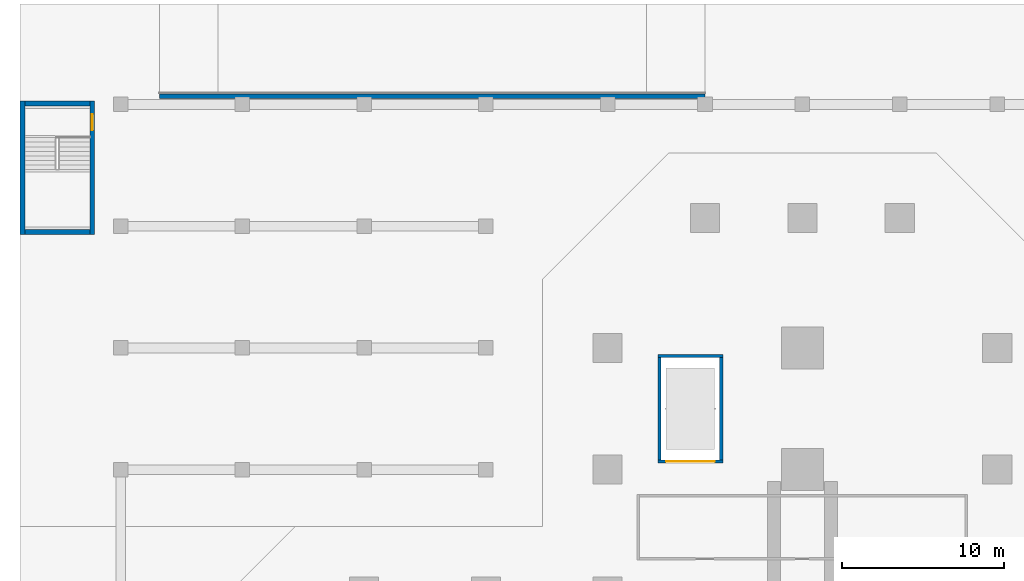
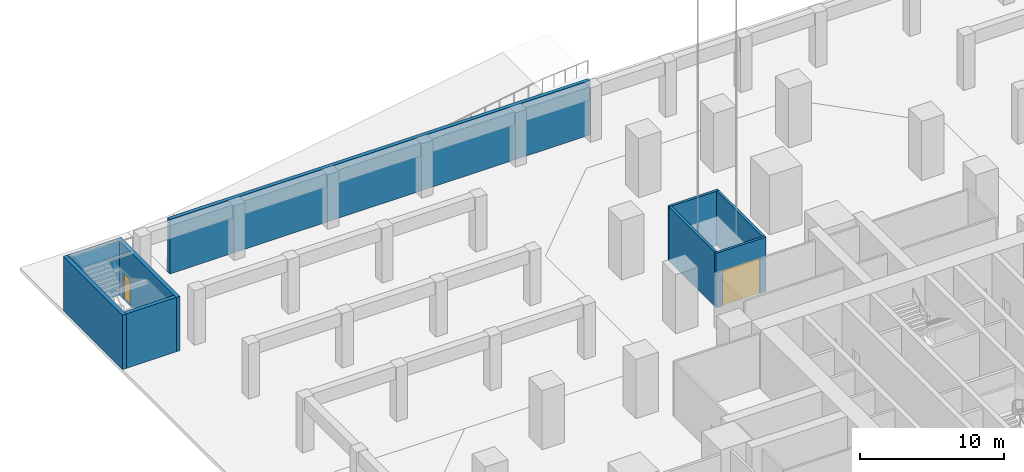
# One storey, part 8 of 20: 9 walls, 2 doors, 2 openings.
"""IFC4 building model written with IfcOpenShell, lengths in metres."""

from ifc_helpers import new_model, si_unit, direction, frame, frame_2d, origin, place, context, subcontext, project, spatial, rectangle, extrude, material, layer, layer_set, type_object, element, fill, save


model = new_model("IFC4")

# Units and contexts
model_context = context("Model", 3, precision=1e-05, world=origin(), true_north=direction((0.0, 1.0)))
body_context = subcontext(model_context, "Body", "Model", "MODEL_VIEW")
ifc_project = project(units=[si_unit("LENGTHUNIT", "METRE"), si_unit("AREAUNIT", "SQUARE_METRE"), si_unit("VOLUMEUNIT", "CUBIC_METRE"), si_unit("PLANEANGLEUNIT", "RADIAN"), si_unit("MASSUNIT", "GRAM", prefix="KILO")], contexts=[model_context])

# Site, building, storey
site_placement = place(None, origin())
site = spatial("IfcSite", under=ifc_project, at=site_placement, CompositionType="ELEMENT")
building_placement = place(site_placement, origin())
building = spatial("IfcBuilding", under=site, at=building_placement, Name="Mizan Broadcast Tower", CompositionType="ELEMENT")
storey_placement = place(building_placement, frame((0.0, 0.0, -5.0)))
storey = spatial("IfcBuildingStorey", under=building, at=storey_placement, Name="B1", CompositionType="ELEMENT", Elevation=-5.0)

# Wall, opening, door
ifc_material_1 = material(Name="Concrete blockwork", Category="masonry")
ifc_layer_1 = layer(ifc_material_1, 0.199951171875)
ifc_layer_set_1 = layer_set([ifc_layer_1], Name="Concrete blockwork")
wall_type_1 = type_object("IfcWallType", Name="LIFT SHAFT WALL 200", PredefinedType="SOLIDWALL", material=ifc_layer_set_1)
wall_1_placement = place(storey_placement, frame((-4.89990234375, 20.0, 0.0), z_axis=(0.0, 0.0, 1.0), x_axis=(-1.0, 0.0, 0.0)))
wall_1 = element("IfcWall", 1, at=wall_1_placement, inside=storey, type_object=wall_type_1, Name="Lift shaft wall GLS/U0", PredefinedType="SOLIDWALL", context=body_context, shape_type="SweptSolid", body=[
    extrude(rectangle(XDim=4.0, YDim=0.199951171875, at=frame_2d((2.0, 0.0))), origin(), (0.0, 0.0, 1.0), 4.60009765625),
])
opening_1_placement = place(wall_1_placement, frame((0.5, 0.0, 0.0)))
opening_1 = element("IfcOpeningElement", 2, at=opening_1_placement, cuts=wall_1, Name="Opening LDG", PredefinedType="OPENING", context=body_context, shape_type="SweptSolid", body=[
    extrude(rectangle(XDim=3.0, YDim=3.0, at=frame_2d((1.5, 1.5))), frame((0.0, 0.10986328125, 0.0), z_axis=(0.0, -1.0, 0.0), x_axis=(1.0, 0.0, 0.0)), (0.0, 0.0, 1.0), 0.219970703125),
])
ifc_material_2 = material(Name="Steel door leaf in steel frame", Category="steel")
door_type_1 = type_object("IfcDoorType", Name="GOODS LIFT LANDING DOOR 3000", OperationType="SLIDING_TO_LEFT", PredefinedType="DOOR", material=ifc_material_2)
door_1_placement = place(opening_1_placement, origin())
door_1 = element("IfcDoor", 3, at=door_1_placement, inside=storey, type_object=door_type_1, Name="Landing door GL1", OperationType="SLIDING_TO_LEFT", OverallHeight=3.0, OverallWidth=3.0, PredefinedType="DOOR", context=body_context, shape_type="SweptSolid", body=[
    extrude(rectangle(XDim=3.0, YDim=3.0, at=frame_2d((1.5, 1.5))), frame((0.0, 0.02490234375, 0.0), z_axis=(0.0, -1.0, 0.0), x_axis=(1.0, 0.0, 0.0)), (0.0, 0.0, 1.0), 0.050048828125),
])
fill(opening_1, door_1)

# Walls
wall_2_placement = place(storey_placement, frame((-8.89990234375, 26.5, 0.0), z_axis=(0.0, 0.0, 1.0), x_axis=(1.0, 0.0, 0.0)))
element("IfcWall", 4, at=wall_2_placement, inside=storey, type_object=wall_type_1, Name="Lift shaft wall GLS/U1", PredefinedType="SOLIDWALL", context=body_context, shape_type="SweptSolid", body=[
    extrude(rectangle(XDim=4.0, YDim=0.199951171875, at=frame_2d((2.0, 0.0))), origin(), (0.0, 0.0, 1.0), 4.60009765625),
])
for number, where, z_axis, x_axis, name in (
    (5, (-5.0, 20.10009765625, 0.0), (0.0, 0.0, 1.0), (0.0, 1.0, 0.0), "Lift shaft wall GLS/V0"),
    (6, (-8.800048828125, 26.39990234375, 0.0), (0.0, 0.0, 1.0), (0.0, -1.0, 0.0), "Lift shaft wall GLS/V1"),
):
    element("IfcWall", number, at=place(storey_placement, frame(where, z_axis=z_axis, x_axis=x_axis)), inside=storey, type_object=wall_type_1, Name=name, PredefinedType="SOLIDWALL", context=body_context, shape_type="SweptSolid", body=[
        extrude(rectangle(XDim=6.2998046875, YDim=0.199951171875, at=frame_2d((3.14990234375, 0.0))), origin(), (0.0, 0.0, 1.0), 4.60009765625),
    ])
ifc_material_3 = material(Name="Concrete C70/85", Category="concrete")
ifc_layer_2 = layer(ifc_material_3, 0.300048828125)
ifc_layer_set_2 = layer_set([ifc_layer_2], Name="Concrete C70/85")
wall_type_2 = type_object("IfcWallType", Name="RAMP WALL 300", PredefinedType="SOLIDWALL", material=ifc_layer_set_2)
wall_3_placement = place(storey_placement, frame((-39.60009765625, 42.5, 0.0), z_axis=(0.0, 0.0, 1.0), x_axis=(1.0, 0.0, 0.0)))
element("IfcWall", 7, at=wall_3_placement, inside=storey, type_object=wall_type_2, Name="Car ramp wall R1", PredefinedType="SOLIDWALL", context=body_context, shape_type="SweptSolid", body=[
    extrude(rectangle(XDim=33.60009765625, YDim=0.300048828125, at=frame_2d((16.800048828125, 0.0))), origin(), (0.0, 0.0, 1.0), 4.60009765625),
])

# Wall, opening, door
ifc_material_4 = material(Name="Concrete C40/50", Category="concrete")
ifc_layer_3 = layer(ifc_material_4, 0.300048828125)
ifc_layer_set_3 = layer_set([ifc_layer_3], Name="Concrete C40/50")
wall_type_3 = type_object("IfcWallType", Name="STAIR SHAFT WALL 300 RC", PredefinedType="SOLIDWALL", material=ifc_layer_set_3)
wall_4_placement = place(storey_placement, frame((-43.75, 42.199951171875, 0.0), z_axis=(0.0, 0.0, 1.0), x_axis=(0.0, -1.0, 0.0)))
wall_4 = element("IfcWall", 8, at=wall_4_placement, inside=storey, type_object=wall_type_3, Name="Stair shaft wall F I", PredefinedType="SOLIDWALL", context=body_context, shape_type="SweptSolid", body=[
    extrude(rectangle(XDim=8.199951171875, YDim=0.300048828125, at=frame_2d((4.10009765625, 0.0))), origin(), (0.0, 0.0, 1.0), 4.60009765625),
])
opening_2_placement = place(wall_4_placement, frame((0.800048828125, 0.0, 0.0)))
opening_2 = element("IfcOpeningElement", 9, at=opening_2_placement, cuts=wall_4, Name="Opening D10S", PredefinedType="OPENING", context=body_context, shape_type="SweptSolid", body=[
    extrude(rectangle(XDim=1.0, YDim=2.199951171875, at=frame_2d((0.5, 1.10009765625))), frame((0.0, 0.159912109375, 0.0), z_axis=(0.0, -1.0, 0.0), x_axis=(1.0, 0.0, 0.0)), (0.0, 0.0, 1.0), 0.320068359375),
])
ifc_material_5 = material(Name="Steel door leaf in steel frame", Category="steel")
door_type_2 = type_object("IfcDoorType", Name="STAIR DOOR 1000 FD90S", OperationType="SINGLE_SWING_RIGHT", PredefinedType="DOOR", material=ifc_material_5)
door_2_placement = place(opening_2_placement, origin())
door_2 = element("IfcDoor", 10, at=door_2_placement, inside=storey, type_object=door_type_2, Name="Stair F door", OperationType="SINGLE_SWING_RIGHT", OverallHeight=2.199951171875, OverallWidth=1.0, PredefinedType="DOOR", context=body_context, shape_type="SweptSolid", body=[
    extrude(rectangle(XDim=1.0, YDim=2.199951171875, at=frame_2d((0.5, 1.10009765625))), frame((0.0, 0.02490234375, 0.0), z_axis=(0.0, -1.0, 0.0), x_axis=(1.0, 0.0, 0.0)), (0.0, 0.0, 1.0), 0.050048828125),
])
fill(opening_2, door_2)

# Walls
wall_5_placement = place(storey_placement, frame((-48.050048828125, 34.0, 0.0), z_axis=(0.0, 0.0, 1.0), x_axis=(0.0, 1.0, 0.0)))
element("IfcWall", 11, at=wall_5_placement, inside=storey, type_object=wall_type_3, Name="Stair shaft wall F O", PredefinedType="SOLIDWALL", context=body_context, shape_type="SweptSolid", body=[
    extrude(rectangle(XDim=8.199951171875, YDim=0.300048828125, at=frame_2d((4.10009765625, 0.0))), origin(), (0.0, 0.0, 1.0), 4.60009765625),
])
for number, where, z_axis, x_axis, name in (
    (12, (-43.89990234375, 42.050048828125, 0.0), (0.0, 0.0, 1.0), (-1.0, 0.0, 0.0), "Stair shaft wall F D"),
    (13, (-47.89990234375, 34.14990234375, 0.0), (0.0, 0.0, 1.0), (1.0, 0.0, 0.0), "Stair shaft wall F F"),
):
    element("IfcWall", number, at=place(storey_placement, frame(where, z_axis=z_axis, x_axis=x_axis)), inside=storey, type_object=wall_type_3, Name=name, PredefinedType="SOLIDWALL", context=body_context, shape_type="SweptSolid", body=[
        extrude(rectangle(XDim=4.0, YDim=0.300048828125, at=frame_2d((2.0, 0.0))), origin(), (0.0, 0.0, 1.0), 4.60009765625),
    ])

save(model, "model.ifc")
